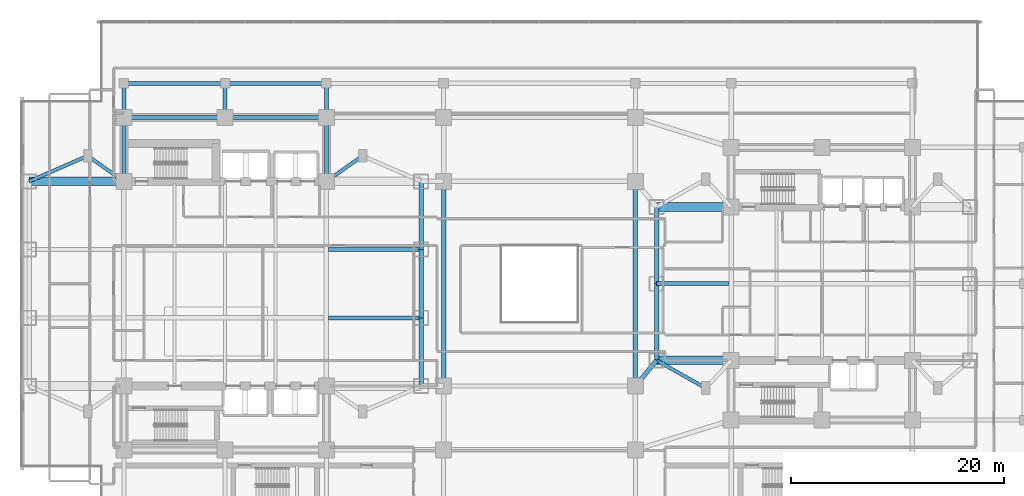
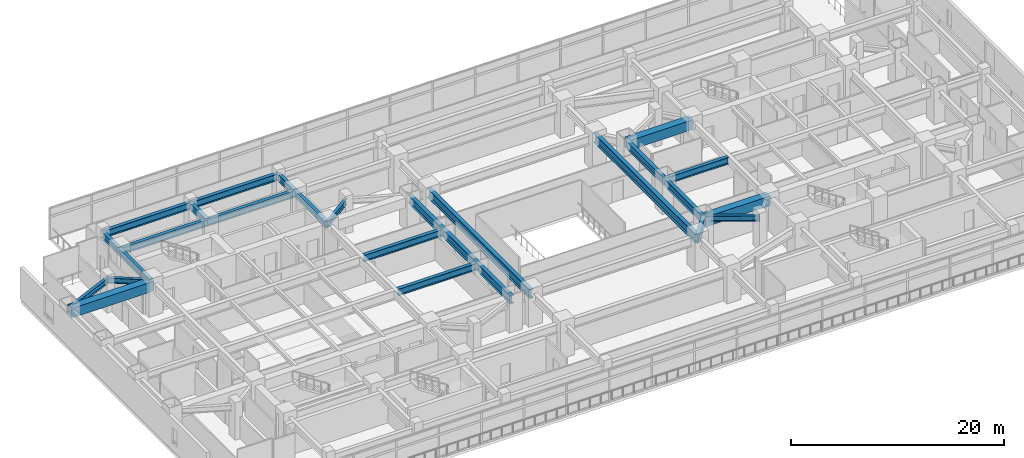
# One storey, part 5 of 26: 27 beams.
"""IFC4 building model written with IfcOpenShell, lengths in metres."""

from ifc_helpers import new_model, si_unit, direction, frame, origin, origin_2d, place, context, subcontext, project, spatial, rectangle, i_section, extrude, material, material_profile, profile_set, type_object, element, save


model = new_model("IFC4")

# Units and contexts
model_context = context("Model", 3, precision=1e-05, world=origin(), true_north=direction((0.0, 1.0)))
body_context = subcontext(model_context, "Body", "Model", "MODEL_VIEW")
ifc_project = project(units=[si_unit("LENGTHUNIT", "METRE"), si_unit("AREAUNIT", "SQUARE_METRE"), si_unit("VOLUMEUNIT", "CUBIC_METRE"), si_unit("PLANEANGLEUNIT", "RADIAN"), si_unit("MASSUNIT", "GRAM", prefix="KILO")], contexts=[model_context])

# Site, building, storey
site_placement = place(None, origin())
site = spatial("IfcSite", under=ifc_project, at=site_placement, CompositionType="ELEMENT")
building_placement = place(site_placement, origin())
building = spatial("IfcBuilding", under=site, at=building_placement, Name="Mirazonda Arch Towers", CompositionType="ELEMENT")
storey_placement = place(building_placement, frame((0.0, 0.0, 13.800048828125)))
storey = spatial("IfcBuildingStorey", under=building, at=storey_placement, Name="L03", CompositionType="ELEMENT", Elevation=13.800048828125)

# Beams
ifc_material_1 = material(Name="Steel ASTM A992 Grade 50", Category="steel")
ifc_material_profile_1 = material_profile(ifc_material_1, i_section(OverallWidth=0.381103515625, OverallDepth=0.77294921875, WebThickness=0.0166015625, FlangeThickness=0.027099609375, at=origin_2d()), Name="W30X173")
ifc_profile_set_1 = profile_set([ifc_material_profile_1], Name="Steel ASTM A992 Grade 50")
beam_type_1 = type_object("IfcBeamType", Name="BM-EXT-W30X173", PredefinedType="USERDEFINED", material=ifc_profile_set_1)
for number, where, z_axis, x_axis, name in (
    (1, (11.0, 46.800048828125, 3.263427734375), (1.0, 0.0, 0.0), (0.0, 1.0, 0.0), "L03 Floor Beam BM-POD-L03-PN-1"),
    (2, (20.5, 46.800048828125, 3.263427734375), (1.0, 0.0, 0.0), (0.0, 1.0, 0.0), "L03 Floor Beam BM-POD-L03-PN-2"),
):
    element("IfcBeam", number, at=place(storey_placement, frame(where, z_axis=z_axis, x_axis=x_axis)), inside=storey, type_object=beam_type_1, Name=name, ObjectType="GIRDER", PredefinedType="USERDEFINED", context=body_context, shape_type="SweptSolid", body=[
        extrude(i_section(OverallWidth=0.381103515625, OverallDepth=0.77294921875, WebThickness=0.0166015625, FlangeThickness=0.027099609375, at=origin_2d()), origin(), (0.0, 0.0, 1.0), 9.5),
    ])
ifc_material_profile_2 = material_profile(ifc_material_1, i_section(OverallWidth=0.39990234375, OverallDepth=0.85595703125, WebThickness=0.018310546875, FlangeThickness=0.029296875, at=origin_2d()), Name="W33X201")
ifc_profile_set_2 = profile_set([ifc_material_profile_2], Name="Steel ASTM A992 Grade 50")
beam_type_2 = type_object("IfcBeamType", Name="BM-EXT-W33X201", PredefinedType="USERDEFINED", material=ifc_profile_set_2)
for number, where, z_axis, x_axis, name in (
    (3, (61.0, 20.800048828125, 3.221923828125), (0.0, 1.0, 0.0), (-1.0, 0.0, 0.0), "L03 Floor Beam BM-T2-L03-NS-W-20"),
    (4, (61.0, 28.0, 3.221923828125), (0.0, 1.0, 0.0), (-1.0, 0.0, 0.0), "L03 Floor Beam BM-T2-L03-NS-W-28"),
):
    element("IfcBeam", number, at=place(storey_placement, frame(where, z_axis=z_axis, x_axis=x_axis)), inside=storey, type_object=beam_type_2, Name=name, ObjectType="GIRDER", PredefinedType="USERDEFINED", context=body_context, shape_type="SweptSolid", body=[
        extrude(i_section(OverallWidth=0.39990234375, OverallDepth=0.85595703125, WebThickness=0.018310546875, FlangeThickness=0.029296875, at=origin_2d()), origin(), (0.0, 0.0, 1.0), 7.199951171875),
    ])
ifc_material_profile_3 = material_profile(ifc_material_1, i_section(OverallWidth=0.41796875, OverallDepth=0.927001953125, WebThickness=0.019287109375, FlangeThickness=0.031982421875, at=origin_2d()), Name="W36X231")
ifc_profile_set_3 = profile_set([ifc_material_profile_3], Name="Steel ASTM A992 Grade 50")
beam_type_3 = type_object("IfcBeamType", Name="BM-EXT-W36X231", PredefinedType="USERDEFINED", material=ifc_profile_set_3)
beam_1_placement = place(storey_placement, frame((38.89990234375, 18.39990234375, 3.1865234375), z_axis=(0.0, 1.0, 0.0), x_axis=(-1.0, 0.0, 0.0)))
element("IfcBeam", 5, at=beam_1_placement, inside=storey, type_object=beam_type_3, Name="L03 Floor Beam BM-T1-L03-NS-E-18", ObjectType="GIRDER", PredefinedType="USERDEFINED", context=body_context, shape_type="SweptSolid", body=[
    extrude(i_section(OverallWidth=0.41796875, OverallDepth=0.927001953125, WebThickness=0.019287109375, FlangeThickness=0.031982421875, at=origin_2d()), origin(), (0.0, 0.0, 1.0), 6.400146484375),
])
beam_2_placement = place(storey_placement, frame((38.89990234375, 24.800048828125, 3.1865234375), z_axis=(0.0, 1.0, 0.0), x_axis=(-1.0, 0.0, 0.0)))
element("IfcBeam", 6, at=beam_2_placement, inside=storey, type_object=beam_type_3, Name="L03 Floor Beam BM-T1-L03-NS-E-24", ObjectType="GIRDER", PredefinedType="USERDEFINED", context=body_context, shape_type="SweptSolid", body=[
    extrude(i_section(OverallWidth=0.41796875, OverallDepth=0.927001953125, WebThickness=0.019287109375, FlangeThickness=0.031982421875, at=origin_2d()), origin(), (0.0, 0.0, 1.0), 6.39990234375),
])
beam_3_placement = place(storey_placement, frame((38.89990234375, 31.199951171875, 3.1865234375), z_axis=(0.0, 1.0, 0.0), x_axis=(-1.0, 0.0, 0.0)))
element("IfcBeam", 7, at=beam_3_placement, inside=storey, type_object=beam_type_3, Name="L03 Floor Beam BM-T1-L03-NS-E-31", ObjectType="GIRDER", PredefinedType="USERDEFINED", context=body_context, shape_type="SweptSolid", body=[
    extrude(i_section(OverallWidth=0.41796875, OverallDepth=0.927001953125, WebThickness=0.019287109375, FlangeThickness=0.031982421875, at=origin_2d()), origin(), (0.0, 0.0, 1.0), 6.400146484375),
])
ifc_material_profile_4 = material_profile(ifc_material_1, i_section(OverallWidth=0.419921875, OverallDepth=1.0400390625, WebThickness=0.031005859375, FlangeThickness=0.055908203125, at=origin_2d()), Name="W40X397")
ifc_profile_set_4 = profile_set([ifc_material_profile_4], Name="Steel ASTM A992 Grade 50")
beam_type_4 = type_object("IfcBeamType", Name="BM-EXT-W40X397", PredefinedType="USERDEFINED", material=ifc_profile_set_4)
for number, where, z_axis, x_axis, name in (
    (8, (41.0, 18.39990234375, 3.1298828125), (0.0, 1.0, 0.0), (-1.0, 0.0, 0.0), "L03 Floor Beam BM-POD-L03-PA-WL2"),
    (9, (59.0, 18.39990234375, 3.1298828125), (0.0, 1.0, 0.0), (-1.0, 0.0, 0.0), "L03 Floor Beam BM-POD-L03-PA-EL2"),
):
    element("IfcBeam", number, at=place(storey_placement, frame(where, z_axis=z_axis, x_axis=x_axis)), inside=storey, type_object=beam_type_4, Name=name, ObjectType="GIRDER", PredefinedType="USERDEFINED", context=body_context, shape_type="SweptSolid", body=[
        extrude(i_section(OverallWidth=0.419921875, OverallDepth=1.0400390625, WebThickness=0.031005859375, FlangeThickness=0.055908203125, at=origin_2d()), origin(), (0.0, 0.0, 1.0), 19.2001953125),
    ])
ifc_material_profile_5 = material_profile(ifc_material_1, i_section(OverallWidth=0.324951171875, OverallDepth=0.615966796875, WebThickness=0.013916015625, FlangeThickness=0.021484375, at=origin_2d()), Name="W24X117")
ifc_profile_set_5 = profile_set([ifc_material_profile_5], Name="Steel ASTM A992 Grade 50")
beam_type_5 = type_object("IfcBeamType", Name="BM-INT-W24X117", PredefinedType="BEAM", material=ifc_profile_set_5)
beam_4_placement = place(storey_placement, frame((7.60009765625, 40.0, 3.342041015625), z_axis=(0.816971114901, -0.576678591087, 0.0), x_axis=(0.576678591087, 0.816971114901, 0.0)))
element("IfcBeam", 10, at=beam_4_placement, inside=storey, type_object=beam_type_5, Name="L03 Floor Beam BM-T1-L03-PL-NW1", PredefinedType="BEAM", context=body_context, shape_type="SweptSolid", body=[
    extrude(i_section(OverallWidth=0.324951171875, OverallDepth=0.615966796875, WebThickness=0.013916015625, FlangeThickness=0.021484375, at=origin_2d()), origin(), (0.0, 0.0, 1.0), 4.16162109375),
])
beam_5_placement = place(storey_placement, frame((7.60009765625, 40.0, 3.342041015625), z_axis=(-0.916545343703, -0.399930785183, 0.0), x_axis=(0.399930785183, -0.916545343703, 0.0)))
element("IfcBeam", 11, at=beam_5_placement, inside=storey, type_object=beam_type_5, Name="L03 Floor Beam BM-T1-L03-PL-NW2", PredefinedType="BEAM", context=body_context, shape_type="SweptSolid", body=[
    extrude(i_section(OverallWidth=0.324951171875, OverallDepth=0.615966796875, WebThickness=0.013916015625, FlangeThickness=0.021484375, at=origin_2d()), origin(), (0.0, 0.0, 1.0), 6.000732421875),
])
beam_6_placement = place(storey_placement, frame((33.39990234375, 40.0, 3.342041015625), z_axis=(-0.816971114901, -0.576678591087, 0.0), x_axis=(0.576678591087, -0.816971114901, 0.0)))
element("IfcBeam", 12, at=beam_6_placement, inside=storey, type_object=beam_type_5, Name="L03 Floor Beam BM-T1-L03-PL-NE1", PredefinedType="BEAM", context=body_context, shape_type="SweptSolid", body=[
    extrude(i_section(OverallWidth=0.324951171875, OverallDepth=0.615966796875, WebThickness=0.013916015625, FlangeThickness=0.021484375, at=origin_2d()), origin(), (0.0, 0.0, 1.0), 4.16162109375),
])
beam_7_placement = place(storey_placement, frame((65.60009765625, 18.199951171875, 3.342041015625), z_axis=(-0.870559396632, 0.492063346467, 0.0), x_axis=(-0.492063346467, -0.870559396632, 0.0)))
element("IfcBeam", 13, at=beam_7_placement, inside=storey, type_object=beam_type_5, Name="L03 Floor Beam BM-T2-L03-PL-SW2", PredefinedType="BEAM", context=body_context, shape_type="SweptSolid", body=[
    extrude(i_section(OverallWidth=0.324951171875, OverallDepth=0.615966796875, WebThickness=0.013916015625, FlangeThickness=0.021484375, at=origin_2d()), origin(), (0.0, 0.0, 1.0), 5.2841796875),
])
ifc_material_profile_6 = material_profile(ifc_material_1, i_section(OverallWidth=0.381103515625, OverallDepth=0.77294921875, WebThickness=0.0166015625, FlangeThickness=0.027099609375, at=origin_2d()), Name="W30X173")
ifc_profile_set_6 = profile_set([ifc_material_profile_6], Name="Steel ASTM A992 Grade 50")
beam_type_6 = type_object("IfcBeamType", Name="BM-INT-W30X173", PredefinedType="USERDEFINED", material=ifc_profile_set_6)
for number, where, z_axis, x_axis, name in (
    (14, (30.2099609375, 24.800048828125, 3.263427734375), (1.0, 0.0, 0.0), (0.0, 1.0, 0.0), "L03 Floor Beam BM-T1-L03-GE2"),
    (15, (30.2099609375, 31.199951171875, 3.263427734375), (1.0, 0.0, 0.0), (0.0, 1.0, 0.0), "L03 Floor Beam BM-T1-L03-GE3"),
):
    element("IfcBeam", number, at=place(storey_placement, frame(where, z_axis=z_axis, x_axis=x_axis)), inside=storey, type_object=beam_type_6, Name=name, ObjectType="GIRDER", PredefinedType="USERDEFINED", context=body_context, shape_type="SweptSolid", body=[
        extrude(i_section(OverallWidth=0.381103515625, OverallDepth=0.77294921875, WebThickness=0.0166015625, FlangeThickness=0.027099609375, at=origin_2d()), origin(), (0.0, 0.0, 1.0), 8.68994140625),
    ])
for number, where, z_axis, x_axis, name in (
    (16, (11.0, 43.60009765625, 3.263427734375), (1.0, 0.0, 0.0), (0.0, 1.0, 0.0), "L03 Floor Beam BM-T1-L03-CN1"),
    (17, (20.5, 43.60009765625, 3.263427734375), (1.0, 0.0, 0.0), (0.0, 1.0, 0.0), "L03 Floor Beam BM-T1-L03-CN2"),
):
    element("IfcBeam", number, at=place(storey_placement, frame(where, z_axis=z_axis, x_axis=x_axis)), inside=storey, type_object=beam_type_6, Name=name, ObjectType="GIRDER", PredefinedType="USERDEFINED", context=body_context, shape_type="SweptSolid", body=[
        extrude(i_section(OverallWidth=0.381103515625, OverallDepth=0.77294921875, WebThickness=0.0166015625, FlangeThickness=0.027099609375, at=origin_2d()), origin(), (0.0, 0.0, 1.0), 9.5),
    ])
for number, where, z_axis, x_axis, name in (
    (18, (11.0, 37.60009765625, 3.263427734375), (0.0, 1.0, 0.0), (-1.0, 0.0, 0.0), "L03 Floor Beam BM-T1-L03-CNW"),
    (19, (30.0, 37.60009765625, 3.263427734375), (0.0, 1.0, 0.0), (-1.0, 0.0, 0.0), "L03 Floor Beam BM-T1-L03-CNE"),
):
    element("IfcBeam", number, at=place(storey_placement, frame(where, z_axis=z_axis, x_axis=x_axis)), inside=storey, type_object=beam_type_6, Name=name, ObjectType="GIRDER", PredefinedType="USERDEFINED", context=body_context, shape_type="SweptSolid", body=[
        extrude(i_section(OverallWidth=0.381103515625, OverallDepth=0.77294921875, WebThickness=0.0166015625, FlangeThickness=0.027099609375, at=origin_2d()), origin(), (0.0, 0.0, 1.0), 6.0),
    ])
beam_8_placement = place(storey_placement, frame((61.0, 28.0, 3.263427734375), z_axis=(1.0, 0.0, 0.0), x_axis=(0.0, 1.0, 0.0)))
element("IfcBeam", 20, at=beam_8_placement, inside=storey, type_object=beam_type_6, Name="L03 Floor Beam BM-T2-L03-GW2", ObjectType="GIRDER", PredefinedType="USERDEFINED", context=body_context, shape_type="SweptSolid", body=[
    extrude(i_section(OverallWidth=0.381103515625, OverallDepth=0.77294921875, WebThickness=0.0166015625, FlangeThickness=0.027099609375, at=origin_2d()), origin(), (0.0, 0.0, 1.0), 6.791015625),
])
for number, where, z_axis, x_axis, name in (
    (21, (11.0, 43.60009765625, 3.263427734375), (0.0, 1.0, 0.0), (-1.0, 0.0, 0.0), "L03 Floor Beam BM-POD-L03-PCN-1"),
    (22, (20.5, 43.60009765625, 3.263427734375), (0.0, 1.0, 0.0), (-1.0, 0.0, 0.0), "L03 Floor Beam BM-POD-L03-PCN-2"),
    (23, (30.0, 43.60009765625, 3.263427734375), (0.0, 1.0, 0.0), (-1.0, 0.0, 0.0), "L03 Floor Beam BM-POD-L03-PCN-3"),
):
    element("IfcBeam", number, at=place(storey_placement, frame(where, z_axis=z_axis, x_axis=x_axis)), inside=storey, type_object=beam_type_6, Name=name, ObjectType="GIRDER", PredefinedType="USERDEFINED", context=body_context, shape_type="SweptSolid", body=[
        extrude(i_section(OverallWidth=0.381103515625, OverallDepth=0.77294921875, WebThickness=0.0166015625, FlangeThickness=0.027099609375, at=origin_2d()), origin(), (0.0, 0.0, 1.0), 3.199951171875),
    ])
ifc_material_profile_7 = material_profile(ifc_material_1, i_section(OverallWidth=0.423095703125, OverallDepth=0.947998046875, WebThickness=0.02392578125, FlangeThickness=0.042724609375, at=origin_2d()), Name="W36X302")
ifc_profile_set_7 = profile_set([ifc_material_profile_7], Name="Steel ASTM A992 Grade 50")
beam_type_7 = type_object("IfcBeamType", Name="BM-INT-W36X302", PredefinedType="USERDEFINED", material=ifc_profile_set_7)
beam_9_placement = place(storey_placement, frame((59.0, 18.39990234375, 3.176025390625), z_axis=(0.640161340286, 0.76824049516, 0.0), x_axis=(-0.76824049516, 0.640161340286, 0.0)))
element("IfcBeam", 24, at=beam_9_placement, inside=storey, type_object=beam_type_7, Name="L03 Floor Beam BM-POD-L03-PA-E2", ObjectType="GIRDER", PredefinedType="USERDEFINED", context=body_context, shape_type="SweptSolid", body=[
    extrude(i_section(OverallWidth=0.423095703125, OverallDepth=0.947998046875, WebThickness=0.02392578125, FlangeThickness=0.042724609375, at=origin_2d()), origin(), (0.0, 0.0, 1.0), 3.124267578125),
])
ifc_material_2 = material(Name="Concrete C60/75", Category="concrete")
ifc_material_profile_8 = material_profile(ifc_material_2, rectangle(XDim=0.800048828125, YDim=1.10009765625, at=origin_2d()), Name="RCCB800x1100")
ifc_profile_set_8 = profile_set([ifc_material_profile_8], Name="Concrete C60/75")
beam_type_8 = type_object("IfcBeamType", Name="CB-INT-RCCB800x1100", PredefinedType="SPANDREL", material=ifc_profile_set_8)
beam_10_placement = place(storey_placement, frame((2.10009765625, 37.60009765625, 3.099853515625), z_axis=(1.0, 0.0, 0.0), x_axis=(0.0, 1.0, 0.0)))
element("IfcBeam", 25, at=beam_10_placement, inside=storey, type_object=beam_type_8, Name="L03 Floor Beam CB-T1-L03-NW", PredefinedType="SPANDREL", context=body_context, shape_type="SweptSolid", body=[
    extrude(rectangle(XDim=0.800048828125, YDim=1.10009765625, at=origin_2d()), origin(), (0.0, 0.0, 1.0), 8.89990234375),
])
for number, where, z_axis, x_axis, name in (
    (26, (61.0, 35.199951171875, 3.099853515625), (1.0, 0.0, 0.0), (0.0, 1.0, 0.0), "L03 Floor Beam CB-T2-L03-NW"),
    (27, (61.0, 20.800048828125, 3.099853515625), (1.0, 0.0, 0.0), (0.0, 1.0, 0.0), "L03 Floor Beam CB-T2-L03-SW"),
):
    element("IfcBeam", number, at=place(storey_placement, frame(where, z_axis=z_axis, x_axis=x_axis)), inside=storey, type_object=beam_type_8, Name=name, PredefinedType="SPANDREL", context=body_context, shape_type="SweptSolid", body=[
        extrude(rectangle(XDim=0.800048828125, YDim=1.10009765625, at=origin_2d()), origin(), (0.0, 0.0, 1.0), 7.0),
    ])

save(model, "model.ifc")
